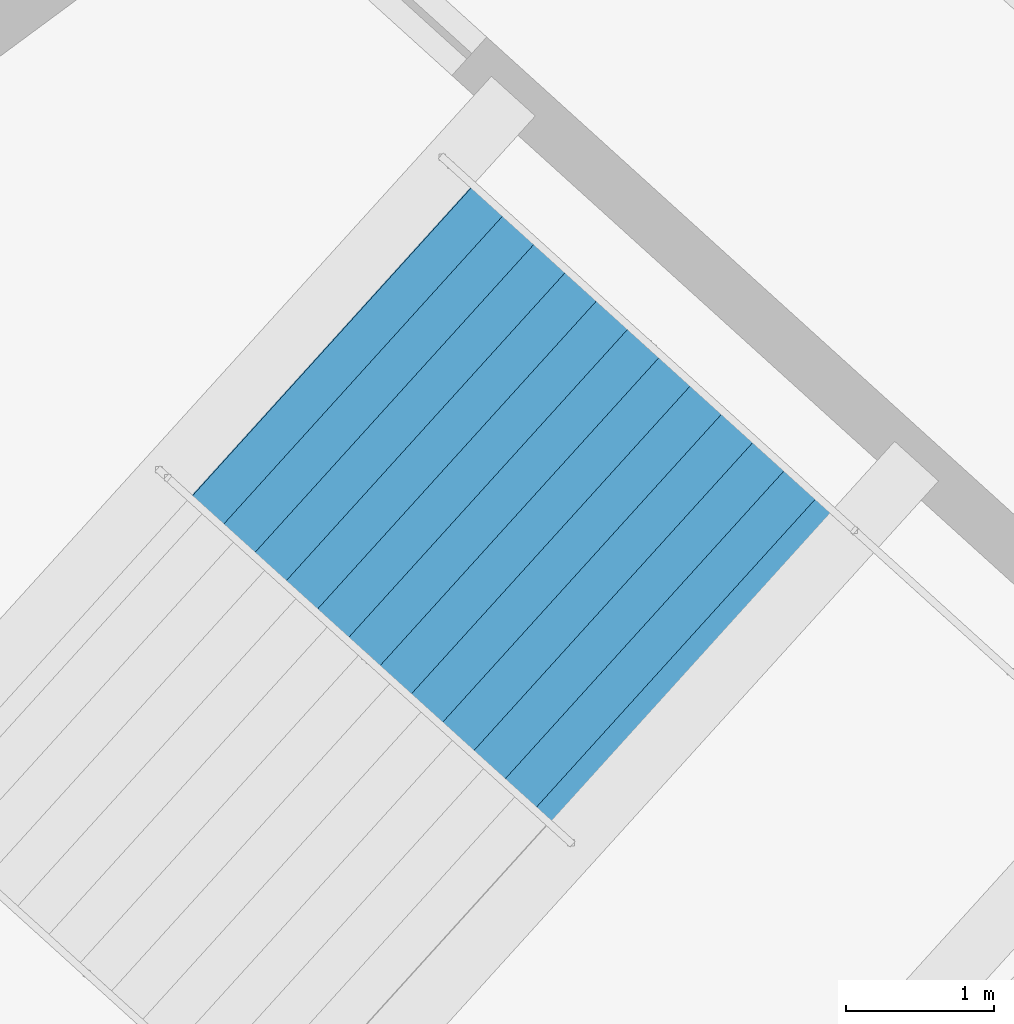
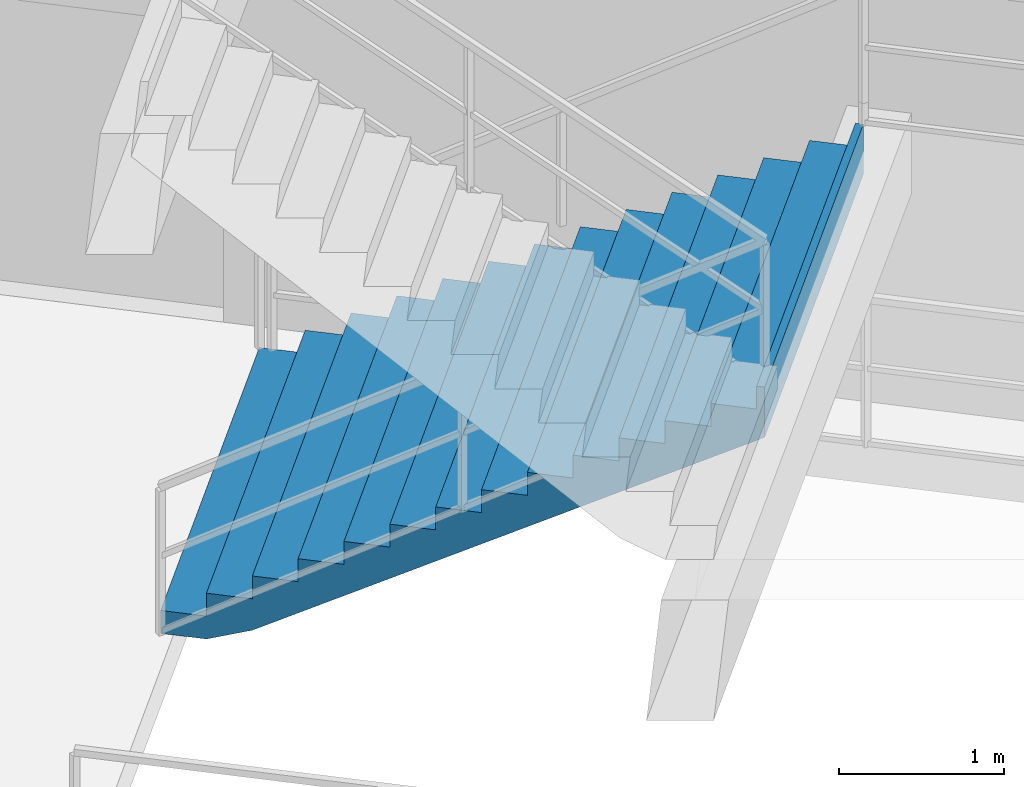
# One storey, part 117 of 156: 1 stair flight, 1 element without a shape of its own.
"""IFC4 building model written with IfcOpenShell, lengths in metres."""

from ifc_helpers import new_model, si_unit, direction, frame, origin, place, context, subcontext, project, spatial, polygons, material, type_object, element, aggregate, save


model = new_model("IFC4")

# Units and contexts
model_context = context("Model", 3, precision=1e-05, world=origin(), true_north=direction((0.0, 1.0)))
body_context = subcontext(model_context, "Body", "Model", "MODEL_VIEW")
ifc_project = project(units=[si_unit("LENGTHUNIT", "METRE"), si_unit("AREAUNIT", "SQUARE_METRE"), si_unit("VOLUMEUNIT", "CUBIC_METRE"), si_unit("PLANEANGLEUNIT", "RADIAN"), si_unit("MASSUNIT", "GRAM", prefix="KILO")], contexts=[model_context])

# Site, building, storey
site_placement = place(None, origin())
site = spatial("IfcSite", under=ifc_project, at=site_placement, CompositionType="ELEMENT")
building_placement = place(site_placement, origin())
building = spatial("IfcBuilding", under=site, at=building_placement, Name="Kazemori Nagisa Stadium", CompositionType="ELEMENT")
storey_placement = place(building_placement, frame((0.0, 0.0, 5.780029296875)))
storey = spatial("IfcBuildingStorey", under=building, at=storey_placement, Name="L01", CompositionType="ELEMENT", Elevation=5.780029296875)

# Stair, stair flight
ifc_material = material(Name="Concrete C36/45 (Fc36)", Category="concrete")
stair_type = type_object("IfcStairType", Name="Stair_CORE_28", PredefinedType="TWO_STRAIGHT_RUN_STAIR", material=ifc_material)
stair_placement = place(storey_placement, origin())
stair = element("IfcStair", 1, at=stair_placement, inside=storey, type_object=stair_type, Name="Exit stair ST03 L01", PredefinedType="TWO_STRAIGHT_RUN_STAIR")
stair_flight_type = type_object("IfcStairFlightType", Name="Flight_CORE_14", PredefinedType="STRAIGHT", material=ifc_material)
stair_flight_placement = place(storey_placement, frame((54.10791015625, 47.6630859375, 0.0), z_axis=(0.0, 0.0, 1.0), x_axis=(0.741354671431, -0.67111344134, 0.0)))
stair_flight = element("IfcStairFlight", 2, at=stair_flight_placement, type_object=stair_flight_type, Name="Exit stair ST03 L01 flight 1", NumberOfRisers=14, NumberOfTreads=13, PredefinedType="STRAIGHT", RiserHeight=0.17, TreadLength=0.285, context=body_context, shape_type="Tessellation", body=[
    polygons([(0.0, -1.425048828125, 0.0), (0.0, -1.425048828125, 0.169921875), (0.284912109375, -1.425048828125, 0.169921875), (0.284912109375, -1.425048828125, 0.340087890625), (0.570068359375, -1.425048828125, 0.340087890625), (0.570068359375, -1.425048828125, 0.510009765625), (0.85498046875, -1.425048828125, 0.510009765625), (0.85498046875, -1.425048828125, 0.679931640625), (1.139892578125, -1.425048828125, 0.679931640625), (1.139892578125, -1.425048828125, 0.85009765625), (1.425048828125, -1.425048828125, 0.85009765625), (1.425048828125, -1.425048828125, 1.02001953125), (1.7099609375, -1.425048828125, 1.02001953125), (1.7099609375, -1.425048828125, 1.18994140625), (1.9951171875, -1.425048828125, 1.18994140625), (1.9951171875, -1.425048828125, 1.360107421875), (2.280029296875, -1.425048828125, 1.360107421875), (2.280029296875, -1.425048828125, 1.530029296875), (2.56494140625, -1.425048828125, 1.530029296875), (2.56494140625, -1.425048828125, 1.699951171875), (2.85009765625, -1.425048828125, 1.699951171875), (2.85009765625, -1.425048828125, 1.8701171875), (3.135009765625, -1.425048828125, 1.8701171875), (3.135009765625, -1.425048828125, 2.0400390625), (3.419921875, -1.425048828125, 2.0400390625), (3.419921875, -1.425048828125, 2.2099609375), (3.705078125, -1.425048828125, 2.2099609375), (3.705078125, -1.425048828125, 2.3798828125), (3.7548828125, -1.425048828125, 2.3798828125), (3.7548828125, -1.425048828125, 2.007080078125), (3.705078125, -1.425048828125, 1.977294921875), (3.419921875, -1.425048828125, 1.80712890625), (3.135009765625, -1.425048828125, 1.63720703125), (2.85009765625, -1.425048828125, 1.46728515625), (2.56494140625, -1.425048828125, 1.297119140625), (2.280029296875, -1.425048828125, 1.127197265625), (1.9951171875, -1.425048828125, 0.957275390625), (1.7099609375, -1.425048828125, 0.787109375), (1.425048828125, -1.425048828125, 0.6171875), (1.139892578125, -1.425048828125, 0.447265625), (0.85498046875, -1.425048828125, 0.277099609375), (0.570068359375, -1.425048828125, 0.107177734375), (0.284912109375, -1.425048828125, 0.0), (0.0, -0.08544921875, 0.0), (0.0, -0.08544921875, 0.169921875), (0.284912109375, -0.08544921875, 0.169921875), (0.284912109375, -0.08544921875, 0.340087890625), (0.570068359375, -0.08544921875, 0.340087890625), (0.570068359375, -0.08544921875, 0.510009765625), (0.85498046875, -0.08544921875, 0.510009765625), (0.85498046875, -0.08544921875, 0.679931640625), (1.139892578125, -0.08544921875, 0.679931640625), (1.139892578125, -0.08544921875, 0.85009765625), (1.425048828125, -0.08544921875, 0.85009765625), (1.425048828125, -0.08544921875, 1.02001953125), (1.7099609375, -0.08544921875, 1.02001953125), (1.7099609375, -0.08544921875, 1.18994140625), (1.9951171875, -0.08544921875, 1.18994140625), (1.9951171875, -0.08544921875, 1.360107421875), (2.280029296875, -0.08544921875, 1.360107421875), (2.280029296875, -0.08544921875, 1.530029296875), (2.56494140625, -0.08544921875, 1.530029296875), (2.56494140625, -0.08544921875, 1.699951171875), (2.85009765625, -0.08544921875, 1.699951171875), (2.85009765625, -0.08544921875, 1.8701171875), (3.135009765625, -0.08544921875, 1.8701171875), (3.135009765625, -0.08544921875, 2.0400390625), (3.419921875, -0.08544921875, 2.0400390625), (3.419921875, -0.08544921875, 2.2099609375), (3.705078125, -0.08544921875, 2.2099609375), (3.705078125, -0.08544921875, 2.3798828125), (3.7548828125, -0.08544921875, 2.3798828125), (3.7548828125, -0.08544921875, 2.007080078125), (3.705078125, -0.08544921875, 1.977294921875), (3.419921875, -0.08544921875, 1.80712890625), (3.135009765625, -0.08544921875, 1.63720703125), (2.85009765625, -0.08544921875, 1.46728515625), (2.56494140625, -0.08544921875, 1.297119140625), (2.280029296875, -0.08544921875, 1.127197265625), (1.9951171875, -0.08544921875, 0.957275390625), (1.7099609375, -0.08544921875, 0.787109375), (1.425048828125, -0.08544921875, 0.6171875), (1.139892578125, -0.08544921875, 0.447265625), (0.85498046875, -0.08544921875, 0.277099609375), (0.570068359375, -0.08544921875, 0.107177734375), (0.284912109375, -0.08544921875, 0.0), (0.0, 0.0, 0.0), (0.0, 0.0, 0.169921875), (0.284912109375, 0.0, 0.169921875), (0.284912109375, 0.0, 0.340087890625), (0.570068359375, 0.0, 0.340087890625), (0.570068359375, 0.0, 0.510009765625), (0.85498046875, 0.0, 0.510009765625), (0.85498046875, 0.0, 0.679931640625), (1.139892578125, 0.0, 0.679931640625), (1.139892578125, 0.0, 0.85009765625), (1.425048828125, 0.0, 0.85009765625), (1.425048828125, 0.0, 1.02001953125), (1.7099609375, 0.0, 1.02001953125), (1.7099609375, 0.0, 1.18994140625), (1.9951171875, 0.0, 1.18994140625), (1.9951171875, 0.0, 1.360107421875), (2.280029296875, 0.0, 1.360107421875), (2.280029296875, 0.0, 1.530029296875), (2.56494140625, 0.0, 1.530029296875), (2.56494140625, 0.0, 1.699951171875), (2.85009765625, 0.0, 1.699951171875), (2.85009765625, 0.0, 1.8701171875), (3.135009765625, 0.0, 1.8701171875), (3.135009765625, 0.0, 2.0400390625), (3.419921875, 0.0, 2.0400390625), (3.419921875, 0.0, 2.2099609375), (3.705078125, 0.0, 2.2099609375), (3.705078125, 0.0, 2.3798828125), (3.7548828125, 0.0, 2.3798828125), (3.7548828125, 0.0, 2.007080078125), (3.705078125, 0.0, 1.977294921875), (3.419921875, 0.0, 1.80712890625), (3.135009765625, 0.0, 1.63720703125), (2.85009765625, 0.0, 1.46728515625), (2.56494140625, 0.0, 1.297119140625), (2.280029296875, 0.0, 1.127197265625), (1.9951171875, 0.0, 0.957275390625), (1.7099609375, 0.0, 0.787109375), (1.425048828125, 0.0, 0.6171875), (1.139892578125, 0.0, 0.447265625), (0.85498046875, 0.0, 0.277099609375), (0.570068359375, 0.0, 0.107177734375), (0.284912109375, 0.0, 0.0), (0.0, 0.08544921875, 0.0), (0.0, 0.08544921875, 0.169921875), (0.284912109375, 0.08544921875, 0.169921875), (0.284912109375, 0.08544921875, 0.340087890625), (0.570068359375, 0.08544921875, 0.340087890625), (0.570068359375, 0.08544921875, 0.510009765625), (0.85498046875, 0.08544921875, 0.510009765625), (0.85498046875, 0.08544921875, 0.679931640625), (1.139892578125, 0.08544921875, 0.679931640625), (1.139892578125, 0.08544921875, 0.85009765625), (1.425048828125, 0.08544921875, 0.85009765625), (1.425048828125, 0.08544921875, 1.02001953125), (1.7099609375, 0.08544921875, 1.02001953125), (1.7099609375, 0.08544921875, 1.18994140625), (1.9951171875, 0.08544921875, 1.18994140625), (1.9951171875, 0.08544921875, 1.360107421875), (2.280029296875, 0.08544921875, 1.360107421875), (2.280029296875, 0.08544921875, 1.530029296875), (2.56494140625, 0.08544921875, 1.530029296875), (2.56494140625, 0.08544921875, 1.699951171875), (2.85009765625, 0.08544921875, 1.699951171875), (2.85009765625, 0.08544921875, 1.8701171875), (3.135009765625, 0.08544921875, 1.8701171875), (3.135009765625, 0.08544921875, 2.0400390625), (3.419921875, 0.08544921875, 2.0400390625), (3.419921875, 0.08544921875, 2.2099609375), (3.705078125, 0.08544921875, 2.2099609375), (3.705078125, 0.08544921875, 2.3798828125), (3.7548828125, 0.08544921875, 2.3798828125), (3.7548828125, 0.08544921875, 2.007080078125), (3.705078125, 0.08544921875, 1.977294921875), (3.419921875, 0.08544921875, 1.80712890625), (3.135009765625, 0.08544921875, 1.63720703125), (2.85009765625, 0.08544921875, 1.46728515625), (2.56494140625, 0.08544921875, 1.297119140625), (2.280029296875, 0.08544921875, 1.127197265625), (1.9951171875, 0.08544921875, 0.957275390625), (1.7099609375, 0.08544921875, 0.787109375), (1.425048828125, 0.08544921875, 0.6171875), (1.139892578125, 0.08544921875, 0.447265625), (0.85498046875, 0.08544921875, 0.277099609375), (0.570068359375, 0.08544921875, 0.107177734375), (0.284912109375, 0.08544921875, 0.0), (0.0, 1.425048828125, 0.0), (0.0, 1.425048828125, 0.169921875), (0.284912109375, 1.425048828125, 0.169921875), (0.284912109375, 1.425048828125, 0.340087890625), (0.570068359375, 1.425048828125, 0.340087890625), (0.570068359375, 1.425048828125, 0.510009765625), (0.85498046875, 1.425048828125, 0.510009765625), (0.85498046875, 1.425048828125, 0.679931640625), (1.139892578125, 1.425048828125, 0.679931640625), (1.139892578125, 1.425048828125, 0.85009765625), (1.425048828125, 1.425048828125, 0.85009765625), (1.425048828125, 1.425048828125, 1.02001953125), (1.7099609375, 1.425048828125, 1.02001953125), (1.7099609375, 1.425048828125, 1.18994140625), (1.9951171875, 1.425048828125, 1.18994140625), (1.9951171875, 1.425048828125, 1.360107421875), (2.280029296875, 1.425048828125, 1.360107421875), (2.280029296875, 1.425048828125, 1.530029296875), (2.56494140625, 1.425048828125, 1.530029296875), (2.56494140625, 1.425048828125, 1.699951171875), (2.85009765625, 1.425048828125, 1.699951171875), (2.85009765625, 1.425048828125, 1.8701171875), (3.135009765625, 1.425048828125, 1.8701171875), (3.135009765625, 1.425048828125, 2.0400390625), (3.419921875, 1.425048828125, 2.0400390625), (3.419921875, 1.425048828125, 2.2099609375), (3.705078125, 1.425048828125, 2.2099609375), (3.705078125, 1.425048828125, 2.3798828125), (3.7548828125, 1.425048828125, 2.3798828125), (3.7548828125, 1.425048828125, 2.007080078125), (3.705078125, 1.425048828125, 1.977294921875), (3.419921875, 1.425048828125, 1.80712890625), (3.135009765625, 1.425048828125, 1.63720703125), (2.85009765625, 1.425048828125, 1.46728515625), (2.56494140625, 1.425048828125, 1.297119140625), (2.280029296875, 1.425048828125, 1.127197265625), (1.9951171875, 1.425048828125, 0.957275390625), (1.7099609375, 1.425048828125, 0.787109375), (1.425048828125, 1.425048828125, 0.6171875), (1.139892578125, 1.425048828125, 0.447265625), (0.85498046875, 1.425048828125, 0.277099609375), (0.570068359375, 1.425048828125, 0.107177734375), (0.284912109375, 1.425048828125, 0.0)], [[[1, 2, 45]], [[1, 45, 44]], [[2, 3, 46]], [[2, 46, 45]], [[3, 4, 47]], [[3, 47, 46]], [[4, 5, 48]], [[4, 48, 47]], [[5, 6, 49]], [[5, 49, 48]], [[6, 7, 50]], [[6, 50, 49]], [[7, 8, 51]], [[7, 51, 50]], [[8, 9, 52]], [[8, 52, 51]], [[9, 10, 53]], [[9, 53, 52]], [[10, 11, 54]], [[10, 54, 53]], [[11, 12, 55]], [[11, 55, 54]], [[12, 13, 56]], [[12, 56, 55]], [[13, 14, 57]], [[13, 57, 56]], [[14, 15, 58]], [[14, 58, 57]], [[15, 16, 59]], [[15, 59, 58]], [[16, 17, 60]], [[16, 60, 59]], [[17, 18, 61]], [[17, 61, 60]], [[18, 19, 62]], [[18, 62, 61]], [[19, 20, 63]], [[19, 63, 62]], [[20, 21, 64]], [[20, 64, 63]], [[21, 22, 65]], [[21, 65, 64]], [[22, 23, 66]], [[22, 66, 65]], [[23, 24, 67]], [[23, 67, 66]], [[24, 25, 68]], [[24, 68, 67]], [[25, 26, 69]], [[25, 69, 68]], [[26, 27, 70]], [[26, 70, 69]], [[27, 28, 71]], [[27, 71, 70]], [[28, 29, 72]], [[28, 72, 71]], [[29, 30, 73]], [[29, 73, 72]], [[30, 31, 74]], [[30, 74, 73]], [[31, 32, 75]], [[31, 75, 74]], [[32, 33, 76]], [[32, 76, 75]], [[33, 34, 77]], [[33, 77, 76]], [[34, 35, 78]], [[34, 78, 77]], [[35, 36, 79]], [[35, 79, 78]], [[36, 37, 80]], [[36, 80, 79]], [[37, 38, 81]], [[37, 81, 80]], [[38, 39, 82]], [[38, 82, 81]], [[39, 40, 83]], [[39, 83, 82]], [[40, 41, 84]], [[40, 84, 83]], [[41, 42, 85]], [[41, 85, 84]], [[42, 43, 86]], [[42, 86, 85]], [[43, 1, 44]], [[43, 44, 86]], [[44, 45, 88]], [[44, 88, 87]], [[45, 46, 89]], [[45, 89, 88]], [[46, 47, 90]], [[46, 90, 89]], [[47, 48, 91]], [[47, 91, 90]], [[48, 49, 92]], [[48, 92, 91]], [[49, 50, 93]], [[49, 93, 92]], [[50, 51, 94]], [[50, 94, 93]], [[51, 52, 95]], [[51, 95, 94]], [[52, 53, 96]], [[52, 96, 95]], [[53, 54, 97]], [[53, 97, 96]], [[54, 55, 98]], [[54, 98, 97]], [[55, 56, 99]], [[55, 99, 98]], [[56, 57, 100]], [[56, 100, 99]], [[57, 58, 101]], [[57, 101, 100]], [[58, 59, 102]], [[58, 102, 101]], [[59, 60, 103]], [[59, 103, 102]], [[60, 61, 104]], [[60, 104, 103]], [[61, 62, 105]], [[61, 105, 104]], [[62, 63, 106]], [[62, 106, 105]], [[63, 64, 107]], [[63, 107, 106]], [[64, 65, 108]], [[64, 108, 107]], [[65, 66, 109]], [[65, 109, 108]], [[66, 67, 110]], [[66, 110, 109]], [[67, 68, 111]], [[67, 111, 110]], [[68, 69, 112]], [[68, 112, 111]], [[69, 70, 113]], [[69, 113, 112]], [[70, 71, 114]], [[70, 114, 113]], [[71, 72, 115]], [[71, 115, 114]], [[72, 73, 116]], [[72, 116, 115]], [[73, 74, 117]], [[73, 117, 116]], [[74, 75, 118]], [[74, 118, 117]], [[75, 76, 119]], [[75, 119, 118]], [[76, 77, 120]], [[76, 120, 119]], [[77, 78, 121]], [[77, 121, 120]], [[78, 79, 122]], [[78, 122, 121]], [[79, 80, 123]], [[79, 123, 122]], [[80, 81, 124]], [[80, 124, 123]], [[81, 82, 125]], [[81, 125, 124]], [[82, 83, 126]], [[82, 126, 125]], [[83, 84, 127]], [[83, 127, 126]], [[84, 85, 128]], [[84, 128, 127]], [[85, 86, 129]], [[85, 129, 128]], [[86, 44, 87]], [[86, 87, 129]], [[87, 88, 131]], [[87, 131, 130]], [[88, 89, 132]], [[88, 132, 131]], [[89, 90, 133]], [[89, 133, 132]], [[90, 91, 134]], [[90, 134, 133]], [[91, 92, 135]], [[91, 135, 134]], [[92, 93, 136]], [[92, 136, 135]], [[93, 94, 137]], [[93, 137, 136]], [[94, 95, 138]], [[94, 138, 137]], [[95, 96, 139]], [[95, 139, 138]], [[96, 97, 140]], [[96, 140, 139]], [[97, 98, 141]], [[97, 141, 140]], [[98, 99, 142]], [[98, 142, 141]], [[99, 100, 143]], [[99, 143, 142]], [[100, 101, 144]], [[100, 144, 143]], [[101, 102, 145]], [[101, 145, 144]], [[102, 103, 146]], [[102, 146, 145]], [[103, 104, 147]], [[103, 147, 146]], [[104, 105, 148]], [[104, 148, 147]], [[105, 106, 149]], [[105, 149, 148]], [[106, 107, 150]], [[106, 150, 149]], [[107, 108, 151]], [[107, 151, 150]], [[108, 109, 152]], [[108, 152, 151]], [[109, 110, 153]], [[109, 153, 152]], [[110, 111, 154]], [[110, 154, 153]], [[111, 112, 155]], [[111, 155, 154]], [[112, 113, 156]], [[112, 156, 155]], [[113, 114, 157]], [[113, 157, 156]], [[114, 115, 158]], [[114, 158, 157]], [[115, 116, 159]], [[115, 159, 158]], [[116, 117, 160]], [[116, 160, 159]], [[117, 118, 161]], [[117, 161, 160]], [[118, 119, 162]], [[118, 162, 161]], [[119, 120, 163]], [[119, 163, 162]], [[120, 121, 164]], [[120, 164, 163]], [[121, 122, 165]], [[121, 165, 164]], [[122, 123, 166]], [[122, 166, 165]], [[123, 124, 167]], [[123, 167, 166]], [[124, 125, 168]], [[124, 168, 167]], [[125, 126, 169]], [[125, 169, 168]], [[126, 127, 170]], [[126, 170, 169]], [[127, 128, 171]], [[127, 171, 170]], [[128, 129, 172]], [[128, 172, 171]], [[129, 87, 130]], [[129, 130, 172]], [[130, 131, 174]], [[130, 174, 173]], [[131, 132, 175]], [[131, 175, 174]], [[132, 133, 176]], [[132, 176, 175]], [[133, 134, 177]], [[133, 177, 176]], [[134, 135, 178]], [[134, 178, 177]], [[135, 136, 179]], [[135, 179, 178]], [[136, 137, 180]], [[136, 180, 179]], [[137, 138, 181]], [[137, 181, 180]], [[138, 139, 182]], [[138, 182, 181]], [[139, 140, 183]], [[139, 183, 182]], [[140, 141, 184]], [[140, 184, 183]], [[141, 142, 185]], [[141, 185, 184]], [[142, 143, 186]], [[142, 186, 185]], [[143, 144, 187]], [[143, 187, 186]], [[144, 145, 188]], [[144, 188, 187]], [[145, 146, 189]], [[145, 189, 188]], [[146, 147, 190]], [[146, 190, 189]], [[147, 148, 191]], [[147, 191, 190]], [[148, 149, 192]], [[148, 192, 191]], [[149, 150, 193]], [[149, 193, 192]], [[150, 151, 194]], [[150, 194, 193]], [[151, 152, 195]], [[151, 195, 194]], [[152, 153, 196]], [[152, 196, 195]], [[153, 154, 197]], [[153, 197, 196]], [[154, 155, 198]], [[154, 198, 197]], [[155, 156, 199]], [[155, 199, 198]], [[156, 157, 200]], [[156, 200, 199]], [[157, 158, 201]], [[157, 201, 200]], [[158, 159, 202]], [[158, 202, 201]], [[159, 160, 203]], [[159, 203, 202]], [[160, 161, 204]], [[160, 204, 203]], [[161, 162, 205]], [[161, 205, 204]], [[162, 163, 206]], [[162, 206, 205]], [[163, 164, 207]], [[163, 207, 206]], [[164, 165, 208]], [[164, 208, 207]], [[165, 166, 209]], [[165, 209, 208]], [[166, 167, 210]], [[166, 210, 209]], [[167, 168, 211]], [[167, 211, 210]], [[168, 169, 212]], [[168, 212, 211]], [[169, 170, 213]], [[169, 213, 212]], [[170, 171, 214]], [[170, 214, 213]], [[171, 172, 215]], [[171, 215, 214]], [[172, 130, 173]], [[172, 173, 215]], [[3, 2, 1]], [[173, 174, 175]], [[43, 3, 1]], [[173, 175, 215]], [[42, 3, 43]], [[215, 175, 214]], [[5, 3, 42]], [[214, 175, 177]], [[5, 4, 3]], [[175, 176, 177]], [[41, 5, 42]], [[214, 177, 213]], [[7, 5, 41]], [[213, 177, 179]], [[7, 6, 5]], [[177, 178, 179]], [[40, 7, 41]], [[213, 179, 212]], [[9, 7, 40]], [[212, 179, 181]], [[9, 8, 7]], [[179, 180, 181]], [[39, 9, 40]], [[212, 181, 211]], [[11, 9, 39]], [[211, 181, 183]], [[11, 10, 9]], [[181, 182, 183]], [[38, 11, 39]], [[211, 183, 210]], [[13, 11, 38]], [[210, 183, 185]], [[13, 12, 11]], [[183, 184, 185]], [[37, 13, 38]], [[210, 185, 209]], [[15, 13, 37]], [[209, 185, 187]], [[15, 14, 13]], [[185, 186, 187]], [[36, 15, 37]], [[209, 187, 208]], [[17, 15, 36]], [[208, 187, 189]], [[17, 16, 15]], [[187, 188, 189]], [[35, 17, 36]], [[208, 189, 207]], [[19, 17, 35]], [[207, 189, 191]], [[19, 18, 17]], [[189, 190, 191]], [[34, 19, 35]], [[207, 191, 206]], [[21, 19, 34]], [[206, 191, 193]], [[21, 20, 19]], [[191, 192, 193]], [[33, 21, 34]], [[206, 193, 205]], [[23, 21, 33]], [[205, 193, 195]], [[23, 22, 21]], [[193, 194, 195]], [[32, 23, 33]], [[205, 195, 204]], [[25, 23, 32]], [[204, 195, 197]], [[25, 24, 23]], [[195, 196, 197]], [[31, 25, 32]], [[204, 197, 203]], [[27, 25, 31]], [[203, 197, 199]], [[27, 26, 25]], [[197, 198, 199]], [[30, 27, 31]], [[203, 199, 202]], [[29, 27, 30]], [[202, 199, 201]], [[29, 28, 27]], [[199, 200, 201]]], closed=True),
])
aggregate(stair, [stair_flight])

save(model, "model.ifc")
